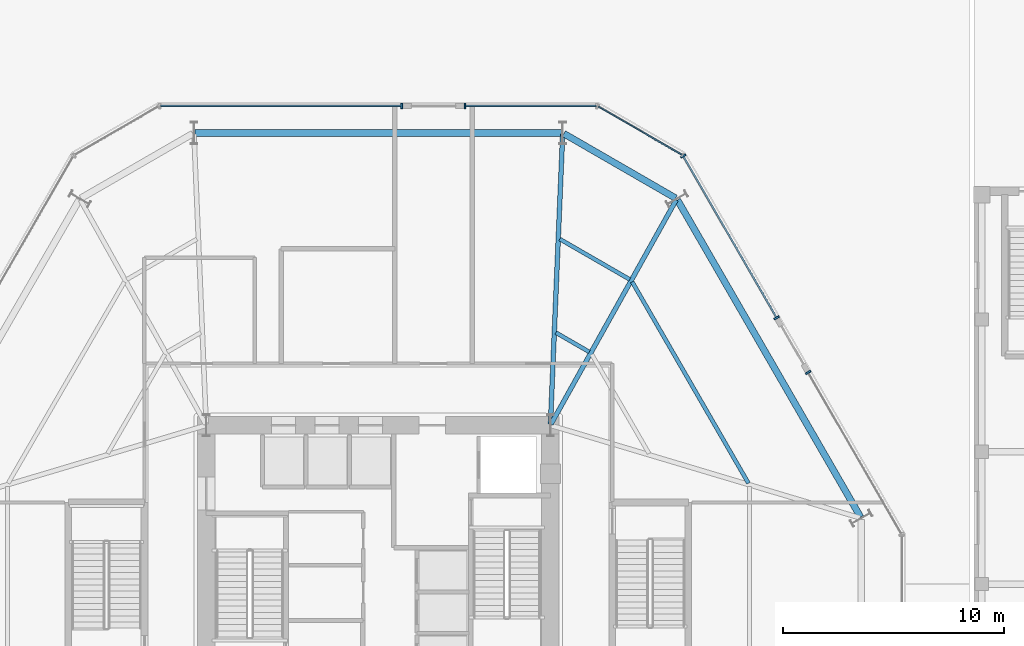
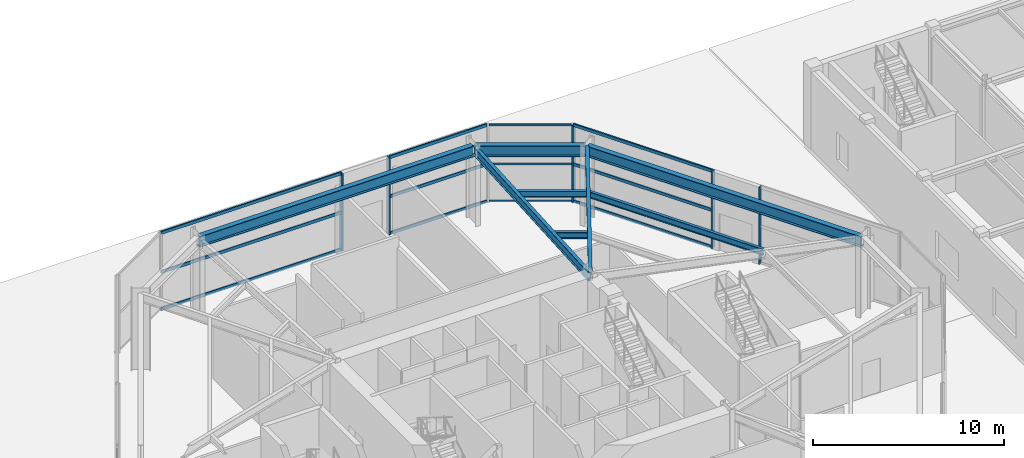
# One storey, part 13 of 26: 17 members, 8 beams, 5 elements without a shape of their own.
"""IFC4 building model written with IfcOpenShell, lengths in metres."""

import ifcopenshell
import ifcopenshell.guid

model = None  # the IFC model being written
_history = None  # IfcOwnerHistory: only IFC2X3 demands one
_inside = {}  # id of a spatial element -> (the spatial element, [elements in it])
_under = {}  # id of a project, library or spatial element -> (it, [spatial elements below it])
_declared = {}  # id of a project -> (the project, [libraries it declares])
_typed = {}  # id of a type object -> (the type object, [elements of that type])
_made_of = {}  # id of a material, layer set ... -> (it, [elements and type objects made of it])


def new_model(schema):
    """Start an empty IFC model of exactly this schema.

    Asked for "IFC4X3", IfcOpenShell would pick the latest addendum, in which some entities
    have other attributes; the version numbers below select the first issue.
    IFC2X3 requires an IfcOwnerHistory on every rooted entity: one is made here for all.
    """
    global model, _history
    if schema == "IFC4X3":
        model = ifcopenshell.file(schema_version=(4, 3, 0, 0))
    else:
        model = ifcopenshell.file(schema=schema)
    _inside.clear()
    _under.clear()
    _declared.clear()
    _typed.clear()
    _made_of.clear()
    _history = None
    if model.schema == "IFC2X3":
        org = make("IfcOrganization", Name="unknown")
        user = make(
            "IfcPersonAndOrganization",
            ThePerson=make("IfcPerson", FamilyName="unknown"),
            TheOrganization=org,
        )
        app = make(
            "IfcApplication",
            ApplicationDeveloper=org,
            Version="unknown",
            ApplicationFullName="unknown",
            ApplicationIdentifier="unknown",
        )
        _history = make(
            "IfcOwnerHistory",
            OwningUser=user,
            OwningApplication=app,
            ChangeAction="ADDED",
            CreationDate=0,
        )
    return model


def make(cls, **values):
    """One entity of the class cls with the attributes given. An attribute that is None is left unset."""
    return model.create_entity(
        cls, **{name: value for name, value in values.items() if value is not None}
    )


def rooted(cls, **values):
    """An entity with a GlobalId (a new one), such as an element, a storey or a relation."""
    return make(cls, GlobalId=ifcopenshell.guid.new(), OwnerHistory=_history, **values)


def si_unit(unit_type, name, prefix=None):
    """IfcSIUnit, for example si_unit("LENGTHUNIT", "METRE", prefix="MILLI")."""
    return make("IfcSIUnit", UnitType=unit_type, Prefix=prefix, Name=name)


def assignment(units):
    """IfcUnitAssignment: the units of a project."""
    return None if units is None else make("IfcUnitAssignment", Units=units)


def point(xyz):
    """IfcCartesianPoint."""
    return None if xyz is None else make("IfcCartesianPoint", Coordinates=xyz)


def direction(xyz):
    """IfcDirection."""
    return None if xyz is None else make("IfcDirection", DirectionRatios=xyz)


def frame(location, z_axis=None, x_axis=None):
    """IfcAxis2Placement3D, a coordinate frame: its origin and axes. An axis left out is left unset."""
    return make(
        "IfcAxis2Placement3D",
        Location=point(location),
        Axis=direction(z_axis),
        RefDirection=direction(x_axis),
    )


def frame_2d(location, x_axis=None):
    """IfcAxis2Placement2D, a coordinate frame in the plane: its origin and x axis."""
    return make(
        "IfcAxis2Placement2D", Location=point(location), RefDirection=direction(x_axis)
    )


def origin():
    """The frame at (0, 0, 0) with its axes left unset."""
    return frame((0.0, 0.0, 0.0))


def origin_2d():
    """The frame at (0, 0) in the plane with its x axis left unset."""
    return frame_2d((0.0, 0.0))


def place(relative_to, where):
    """IfcLocalPlacement: puts the frame where relative to a parent placement (None: the world)."""
    return make(
        "IfcLocalPlacement", PlacementRelTo=relative_to, RelativePlacement=where
    )


def context(
    kind, dimensions, precision=None, world=None, true_north=None, identifier=None
):
    """IfcGeometricRepresentationContext, for example the 3D "Model" context."""
    return make(
        "IfcGeometricRepresentationContext",
        ContextIdentifier=identifier,
        ContextType=kind,
        CoordinateSpaceDimension=dimensions,
        Precision=precision,
        WorldCoordinateSystem=world,
        TrueNorth=true_north,
    )


def subcontext(parent, identifier, kind, view, scale=None):
    """IfcGeometricRepresentationSubContext, for example "Body" below "Model"."""
    return make(
        "IfcGeometricRepresentationSubContext",
        ContextIdentifier=identifier,
        ContextType=kind,
        ParentContext=parent,
        TargetScale=scale,
        TargetView=view,
    )


def project(units=None, contexts=None):
    """IfcProject with its units and contexts."""
    return rooted(
        "IfcProject",
        Name="project",
        RepresentationContexts=contexts,
        UnitsInContext=assignment(units),
    )


def spatial(cls, under=None, at=None, **own):
    """A site, building, storey or space (cls), placed at a placement, below another one or the project."""
    s = rooted(cls, ObjectPlacement=at, **own)
    if under is not None:
        _under.setdefault(under.id(), (under, []))[1].append(s)
    return s


def profile(cls, at=None, kind="AREA", **sizes):
    """A parametric profile (cls). Its sizes go by their IFC names, for example OverallWidth=200.0."""
    return make(cls, ProfileType=kind, Position=at, **sizes)


def rectangle(**sizes):
    """IfcRectangleProfileDef."""
    return profile("IfcRectangleProfileDef", **sizes)


def i_section(**sizes):
    """IfcIShapeProfileDef."""
    return profile("IfcIShapeProfileDef", **sizes)


def extrude(swept, where, along, depth):
    """IfcExtrudedAreaSolid: the profile swept, set in the frame where, extruded along a direction by depth."""
    return make(
        "IfcExtrudedAreaSolid",
        SweptArea=swept,
        Position=where,
        ExtrudedDirection=direction(along),
        Depth=depth,
    )


def shape(context_of_items, identifier, shape_type, items):
    """IfcShapeRepresentation: the items that make up one representation, for example the "Body"."""
    return make(
        "IfcShapeRepresentation",
        ContextOfItems=context_of_items,
        RepresentationIdentifier=identifier,
        RepresentationType=shape_type,
        Items=items,
    )


def material(Name=None, Category=None):
    """IfcMaterial."""
    return make("IfcMaterial", Name=Name, Category=Category)


def layer(
    of_material, thickness, ventilated=None, Name=None, Category=None, Priority=None
):
    """IfcMaterialLayer: one layer of a wall or slab, of a material (None: an air gap)."""
    return make(
        "IfcMaterialLayer",
        Material=of_material,
        LayerThickness=thickness,
        IsVentilated=ventilated,
        Name=Name,
        Category=Category,
        Priority=Priority,
    )


def layer_set(layers, Name=None):
    """IfcMaterialLayerSet."""
    return make("IfcMaterialLayerSet", MaterialLayers=layers, LayerSetName=Name)


def material_profile(
    of_material, cross_section, Name=None, Category=None, Priority=None
):
    """IfcMaterialProfile: a cross section and its material."""
    return make(
        "IfcMaterialProfile",
        Name=Name,
        Material=of_material,
        Profile=cross_section,
        Priority=Priority,
        Category=Category,
    )


def profile_set(profiles, Name=None, composite=None):
    """IfcMaterialProfileSet."""
    return make(
        "IfcMaterialProfileSet",
        Name=Name,
        MaterialProfiles=profiles,
        CompositeProfile=composite,
    )


def made_of(thing, what):
    """Note that an element or type object is made of a material, layer set ...; save() writes the relation."""
    if what is not None:
        _made_of.setdefault(what.id(), (what, []))[1].append(thing)
    return thing


def type_object(cls, material=None, **own):
    """A type object (cls), such as IfcWallType, which elements share."""
    return made_of(rooted(cls, **own), material)


def element(
    cls,
    number,
    at=None,
    inside=None,
    cuts=None,
    type_object=None,
    material=None,
    context=None,
    identifier="Body",
    shape_type=None,
    held_by="IfcProductDefinitionShape",
    body=None,
    shapes=None,
    **own,
):
    """One element of the class cls, such as IfcWall. Its Tag is "e" and its number.

    at: its placement. inside: the storey or other place that contains it. cuts: it is an
    opening in that element (IfcRelVoidsElement). A single representation is given by context,
    identifier, shape_type and body (its items); several are given by shapes. held_by: the class
    of the entity that holds the representations. save() writes the other relations.
    """
    e = rooted(cls, Tag="e%d" % number, ObjectPlacement=at, **own)
    if body is not None:
        shapes = [shape(context, identifier, shape_type, body)]
    if shapes is not None:
        e.Representation = make(held_by, Representations=shapes)
    if inside is not None:
        _inside.setdefault(inside.id(), (inside, []))[1].append(e)
    if cuts is not None:
        rooted(
            "IfcRelVoidsElement", RelatingBuildingElement=cuts, RelatedOpeningElement=e
        )
    if type_object is not None:
        _typed.setdefault(type_object.id(), (type_object, []))[1].append(e)
    return made_of(e, material)


def aggregate(whole, parts):
    """IfcRelAggregates: a whole, such as a stair, and the parts it consists of."""
    return rooted("IfcRelAggregates", RelatingObject=whole, RelatedObjects=parts)


def save(model, path):
    """Write the relations noted so far, then the file.

    IfcRelAggregates (storeys below a building ...), IfcRelContainedInSpatialStructure (elements
    in a storey), IfcRelDefinesByType, IfcRelAssociatesMaterial and IfcRelDeclares: one each for
    every whole, place, type object, material and project.
    """
    for whole, parts in _under.values():
        aggregate(whole, parts)
    for where, things in _inside.values():
        rooted(
            "IfcRelContainedInSpatialStructure",
            RelatedElements=things,
            RelatingStructure=where,
        )
    for kind, things in _typed.values():
        rooted("IfcRelDefinesByType", RelatedObjects=things, RelatingType=kind)
    for what, things in _made_of.values():
        rooted("IfcRelAssociatesMaterial", RelatedObjects=things, RelatingMaterial=what)
    for by, libraries in _declared.values():
        rooted("IfcRelDeclares", RelatingContext=by, RelatedDefinitions=libraries)
    model.write(path)


model = new_model("IFC4")

# Units and contexts
model_context = context("Model", 3, precision=1e-05, world=origin(), true_north=direction((0.0, 1.0)))
body_context = subcontext(model_context, "Body", "Model", "MODEL_VIEW")
ifc_project = project(units=[si_unit("LENGTHUNIT", "METRE"), si_unit("AREAUNIT", "SQUARE_METRE"), si_unit("VOLUMEUNIT", "CUBIC_METRE"), si_unit("PLANEANGLEUNIT", "RADIAN"), si_unit("MASSUNIT", "GRAM", prefix="KILO")], contexts=[model_context])

# Site, building, storey
site_placement = place(None, origin())
site = spatial("IfcSite", under=ifc_project, at=site_placement, CompositionType="ELEMENT")
building_placement = place(site_placement, origin())
building = spatial("IfcBuilding", under=site, at=building_placement, Name="Kranzbogen Civic Tower", CompositionType="ELEMENT")
storey_placement = place(building_placement, origin())
storey = spatial("IfcBuildingStorey", under=building, at=storey_placement, Name="L00", CompositionType="ELEMENT", Elevation=0.0)

# Curtain wall, member
ifc_material_1 = material(Name="Pale Anodised Aluminium", Category="aluminium")
ifc_layer_1 = layer(ifc_material_1, 0.219970703125, Name="Pale Anodised Aluminium")
ifc_layer_set_1 = layer_set([ifc_layer_1], Name="Pale Anodised Aluminium")
curtain_wall_type_1 = type_object("IfcCurtainWallType", Name="Podium Stick Curtain Wall System CW-01", PredefinedType="USERDEFINED", material=ifc_layer_set_1)
curtain_wall_1_placement = place(storey_placement, origin())
curtain_wall_1 = element("IfcCurtainWall", 1, at=curtain_wall_1_placement, inside=storey, type_object=curtain_wall_type_1, Name="L00 curtain wall CW-L00-F1-S1", ObjectType="STICK CURTAIN WALL", PredefinedType="USERDEFINED")
ifc_material_profile_1 = material_profile(ifc_material_1, rectangle(XDim=0.0849609375, YDim=0.260009765625, at=origin_2d()), Name="ALU-M 85x260")
ifc_profile_set_1 = profile_set([ifc_material_profile_1], Name="Pale Anodised Aluminium")
member_type_1 = type_object("IfcMemberType", Name="Curtain Wall Mullion ALU-M 85x260", PredefinedType="MULLION", material=ifc_profile_set_1)
member_1_placement = place(storey_placement, frame((44.48388671875, 34.597900390625, 0.0), z_axis=(0.0, 0.0, 1.0), x_axis=(-0.500009985053, 0.866019638835, 0.0)))
member_1 = element("IfcMember", 2, at=member_1_placement, type_object=member_type_1, Name="CW-01 mullion 2", PredefinedType="MULLION", context=body_context, shape_type="SweptSolid", body=[
    extrude(rectangle(XDim=0.0849609375, YDim=0.260009765625, at=origin_2d()), origin(), (0.0, 0.0, 1.0), 4.93994140625),
])
aggregate(curtain_wall_1, [member_1])

# Curtain wall, members
curtain_wall_2_placement = place(storey_placement, origin())
curtain_wall_2 = element("IfcCurtainWall", 3, at=curtain_wall_2_placement, inside=storey, type_object=curtain_wall_type_1, Name="L00 curtain wall CW-L00-F1-S2", ObjectType="STICK CURTAIN WALL", PredefinedType="USERDEFINED")
member_2_placement = place(storey_placement, frame((43.053955078125, 37.074951171875, 0.0), z_axis=(0.0, 0.0, 1.0), x_axis=(-0.500009985053, 0.866019638835, 0.0)))
member_2 = element("IfcMember", 4, at=member_2_placement, type_object=member_type_1, Name="CW-01 mullion 1", PredefinedType="MULLION", context=body_context, shape_type="SweptSolid", body=[
    extrude(rectangle(XDim=0.0849609375, YDim=0.260009765625, at=origin_2d()), origin(), (0.0, 0.0, 1.0), 4.93994140625),
])
member_3_placement = place(storey_placement, frame((38.819091796875, 44.409912109375, 0.0), z_axis=(0.0, 0.0, 1.0), x_axis=(-0.500009985053, 0.866019638835, 0.0)))
member_3 = element("IfcMember", 5, at=member_3_placement, type_object=member_type_1, Name="CW-01 mullion 2", PredefinedType="MULLION", context=body_context, shape_type="SweptSolid", body=[
    extrude(rectangle(XDim=0.0849609375, YDim=0.260009765625, at=origin_2d()), origin(), (0.0, 0.0, 1.0), 4.93994140625),
])

# Curtain wall, member
curtain_wall_3_placement = place(storey_placement, origin())
curtain_wall_3 = element("IfcCurtainWall", 6, at=curtain_wall_3_placement, inside=storey, type_object=curtain_wall_type_1, Name="L00 curtain wall CW-L00-F2-S1", ObjectType="STICK CURTAIN WALL", PredefinedType="USERDEFINED")
member_4_placement = place(storey_placement, frame((28.929931640625, 46.673095703125, 0.0), z_axis=(0.0, 0.0, 1.0), x_axis=(-1.0, 0.0, 0.0)))
member_4 = element("IfcMember", 7, at=member_4_placement, type_object=member_type_1, Name="CW-01 mullion 2", PredefinedType="MULLION", context=body_context, shape_type="SweptSolid", body=[
    extrude(rectangle(XDim=0.0849609375, YDim=0.260009765625, at=origin_2d()), origin(), (0.0, 0.0, 1.0), 4.93994140625),
])

curtain_wall_4_placement = place(storey_placement, origin())
curtain_wall_4 = element("IfcCurtainWall", 8, at=curtain_wall_4_placement, inside=storey, type_object=curtain_wall_type_1, Name="L00 curtain wall CW-L00-F2-S2", ObjectType="STICK CURTAIN WALL", PredefinedType="USERDEFINED")
member_5_placement = place(storey_placement, frame((26.070068359375, 46.673095703125, 0.0), z_axis=(0.0, 0.0, 1.0), x_axis=(-1.0, 0.0, 0.0)))
member_5 = element("IfcMember", 9, at=member_5_placement, type_object=member_type_1, Name="CW-01 mullion 1", PredefinedType="MULLION", context=body_context, shape_type="SweptSolid", body=[
    extrude(rectangle(XDim=0.0849609375, YDim=0.260009765625, at=origin_2d()), origin(), (0.0, 0.0, 1.0), 4.93994140625),
])

# Curtain wall, members
ifc_layer_2 = layer(ifc_material_1, 0.219970703125, Name="Pale Anodised Aluminium")
ifc_layer_set_2 = layer_set([ifc_layer_2], Name="Pale Anodised Aluminium")
curtain_wall_type_2 = type_object("IfcCurtainWallType", Name="Chamfer Facet Stick Curtain Wall System CW-06", PredefinedType="USERDEFINED", material=ifc_layer_set_2)
curtain_wall_5_placement = place(storey_placement, origin())
curtain_wall_5 = element("IfcCurtainWall", 10, at=curtain_wall_5_placement, inside=storey, type_object=curtain_wall_type_2, Name="L00 curtain wall CW-L00-C1", ObjectType="STICK CURTAIN WALL", PredefinedType="USERDEFINED")
ifc_material_profile_2 = material_profile(ifc_material_1, rectangle(XDim=0.06005859375, YDim=0.1201171875, at=origin_2d()), Name="ALU-T 60x120")
ifc_profile_set_2 = profile_set([ifc_material_profile_2], Name="Pale Anodised Aluminium")
member_type_2 = type_object("IfcMemberType", Name="Curtain Wall Transom ALU-T 60x120", PredefinedType="USERDEFINED", material=ifc_profile_set_2)
member_6_placement = place(storey_placement, frame((38.751953125, 44.466064453125, 0.030029296875), z_axis=(-0.865987588642, 0.500065492029, 0.0), x_axis=(-0.500065492029, -0.865987588642, 0.0)))
member_6 = element("IfcMember", 11, at=member_6_placement, type_object=member_type_2, Name="CW-06 transom 1.1", ObjectType="TRANSOM", PredefinedType="USERDEFINED", context=body_context, shape_type="SweptSolid", body=[
    extrude(rectangle(XDim=0.06005859375, YDim=0.1201171875, at=origin_2d()), origin(), (0.0, 0.0, 1.0), 4.353515625),
])
member_7_placement = place(storey_placement, frame((38.751953125, 44.466064453125, 2.39990234375), z_axis=(-0.865987588642, 0.500065492029, 0.0), x_axis=(-0.500065492029, -0.865987588642, 0.0)))
member_7 = element("IfcMember", 12, at=member_7_placement, type_object=member_type_2, Name="CW-06 transom 1.2", ObjectType="TRANSOM", PredefinedType="USERDEFINED", context=body_context, shape_type="SweptSolid", body=[
    extrude(rectangle(XDim=0.06005859375, YDim=0.1201171875, at=origin_2d()), origin(), (0.0, 0.0, 1.0), 4.353515625),
])
member_8_placement = place(storey_placement, frame((38.751953125, 44.466064453125, 4.909912109375), z_axis=(-0.865987588642, 0.500065492029, 0.0), x_axis=(-0.500065492029, -0.865987588642, 0.0)))
member_8 = element("IfcMember", 13, at=member_8_placement, type_object=member_type_2, Name="CW-06 transom 1.3", ObjectType="TRANSOM", PredefinedType="USERDEFINED", context=body_context, shape_type="SweptSolid", body=[
    extrude(rectangle(XDim=0.06005859375, YDim=0.1201171875, at=origin_2d()), origin(), (0.0, 0.0, 1.0), 4.353515625),
])
aggregate(curtain_wall_5, [member_6, member_7, member_8])

# Member
ifc_material_profile_3 = material_profile(ifc_material_1, rectangle(XDim=0.0849609375, YDim=0.195068359375, at=origin_2d()), Name="ALU-T 85x195")
ifc_profile_set_3 = profile_set([ifc_material_profile_3], Name="Pale Anodised Aluminium")
member_type_3 = type_object("IfcMemberType", Name="Curtain Wall Transom ALU-T 85x195", PredefinedType="USERDEFINED", material=ifc_profile_set_3)
member_9_placement = place(storey_placement, frame((43.0390625, 37.10107421875, 0.030029296875), z_axis=(-0.500023168854, 0.866012026827, 0.0), x_axis=(-0.866012026827, -0.500023168854, 0.0)))
member_9 = element("IfcMember", 14, at=member_9_placement, type_object=member_type_3, Name="CW-01 transom 1.1", ObjectType="TRANSOM", PredefinedType="USERDEFINED", context=body_context, shape_type="SweptSolid", body=[
    extrude(rectangle(XDim=0.0849609375, YDim=0.195068359375, at=origin_2d()), origin(), (0.0, 0.0, 1.0), 8.40966796875),
])

member_10_placement = place(storey_placement, frame((43.0390625, 37.10107421875, 2.39990234375), z_axis=(-0.500023168854, 0.866012026827, 0.0), x_axis=(-0.866012026827, -0.500023168854, 0.0)))
member_10 = element("IfcMember", 15, at=member_10_placement, type_object=member_type_3, Name="CW-01 transom 1.2", ObjectType="TRANSOM", PredefinedType="USERDEFINED", context=body_context, shape_type="SweptSolid", body=[
    extrude(rectangle(XDim=0.0849609375, YDim=0.195068359375, at=origin_2d()), origin(), (0.0, 0.0, 1.0), 8.40966796875),
])

member_11_placement = place(storey_placement, frame((43.0390625, 37.10107421875, 4.909912109375), z_axis=(-0.500023168854, 0.866012026827, 0.0), x_axis=(-0.866012026827, -0.500023168854, 0.0)))
member_11 = element("IfcMember", 16, at=member_11_placement, type_object=member_type_3, Name="CW-01 transom 1.3", ObjectType="TRANSOM", PredefinedType="USERDEFINED", context=body_context, shape_type="SweptSolid", body=[
    extrude(rectangle(XDim=0.0849609375, YDim=0.195068359375, at=origin_2d()), origin(), (0.0, 0.0, 1.0), 8.40966796875),
])

aggregate(curtain_wall_2, [member_2, member_3, member_9, member_10, member_11])

member_12_placement = place(storey_placement, frame((34.8701171875, 46.673095703125, 0.030029296875), z_axis=(-1.0, 0.0, 0.0), x_axis=(0.0, -1.0, 0.0)))
member_12 = element("IfcMember", 17, at=member_12_placement, type_object=member_type_3, Name="CW-01 transom 1.1", ObjectType="TRANSOM", PredefinedType="USERDEFINED", context=body_context, shape_type="SweptSolid", body=[
    extrude(rectangle(XDim=0.0849609375, YDim=0.195068359375, at=origin_2d()), origin(), (0.0, 0.0, 1.0), 5.91015625),
])

member_13_placement = place(storey_placement, frame((34.8701171875, 46.673095703125, 2.39990234375), z_axis=(-1.0, 0.0, 0.0), x_axis=(0.0, -1.0, 0.0)))
member_13 = element("IfcMember", 18, at=member_13_placement, type_object=member_type_3, Name="CW-01 transom 1.2", ObjectType="TRANSOM", PredefinedType="USERDEFINED", context=body_context, shape_type="SweptSolid", body=[
    extrude(rectangle(XDim=0.0849609375, YDim=0.195068359375, at=origin_2d()), origin(), (0.0, 0.0, 1.0), 5.91015625),
])

member_14_placement = place(storey_placement, frame((34.8701171875, 46.673095703125, 4.909912109375), z_axis=(-1.0, 0.0, 0.0), x_axis=(0.0, -1.0, 0.0)))
member_14 = element("IfcMember", 19, at=member_14_placement, type_object=member_type_3, Name="CW-01 transom 1.3", ObjectType="TRANSOM", PredefinedType="USERDEFINED", context=body_context, shape_type="SweptSolid", body=[
    extrude(rectangle(XDim=0.0849609375, YDim=0.195068359375, at=origin_2d()), origin(), (0.0, 0.0, 1.0), 5.91015625),
])

aggregate(curtain_wall_3, [member_4, member_12, member_13, member_14])

member_15_placement = place(storey_placement, frame((26.0400390625, 46.673095703125, 0.030029296875), z_axis=(-1.0, 0.0, 0.0), x_axis=(0.0, -1.0, 0.0)))
member_15 = element("IfcMember", 20, at=member_15_placement, type_object=member_type_3, Name="CW-01 transom 1.1", ObjectType="TRANSOM", PredefinedType="USERDEFINED", context=body_context, shape_type="SweptSolid", body=[
    extrude(rectangle(XDim=0.0849609375, YDim=0.195068359375, at=origin_2d()), origin(), (0.0, 0.0, 1.0), 10.91015625),
])

member_16_placement = place(storey_placement, frame((26.0400390625, 46.673095703125, 2.39990234375), z_axis=(-1.0, 0.0, 0.0), x_axis=(0.0, -1.0, 0.0)))
member_16 = element("IfcMember", 21, at=member_16_placement, type_object=member_type_3, Name="CW-01 transom 1.2", ObjectType="TRANSOM", PredefinedType="USERDEFINED", context=body_context, shape_type="SweptSolid", body=[
    extrude(rectangle(XDim=0.0849609375, YDim=0.195068359375, at=origin_2d()), origin(), (0.0, 0.0, 1.0), 10.91015625),
])

member_17_placement = place(storey_placement, frame((26.0400390625, 46.673095703125, 4.909912109375), z_axis=(-1.0, 0.0, 0.0), x_axis=(0.0, -1.0, 0.0)))
member_17 = element("IfcMember", 22, at=member_17_placement, type_object=member_type_3, Name="CW-01 transom 1.3", ObjectType="TRANSOM", PredefinedType="USERDEFINED", context=body_context, shape_type="SweptSolid", body=[
    extrude(rectangle(XDim=0.0849609375, YDim=0.195068359375, at=origin_2d()), origin(), (0.0, 0.0, 1.0), 10.91015625),
])

aggregate(curtain_wall_4, [member_5, member_15, member_16, member_17])

# Beams
ifc_material_2 = material(Name="Steel S355", Category="steel")
ifc_material_profile_4 = material_profile(ifc_material_2, i_section(OverallWidth=0.300048828125, OverallDepth=0.699951171875, WebThickness=0.01708984375, FlangeThickness=0.031982421875, at=origin_2d()), Name="HEB 700")
ifc_profile_set_4 = profile_set([ifc_material_profile_4], Name="Steel S355")
beam_type_1 = type_object("IfcBeamType", Name="Perimeter Tube Spandrel Beam HEB 700", PredefinedType="SPANDREL", material=ifc_profile_set_4)
beam_1_placement = place(storey_placement, frame((46.860107421875, 28.0380859375, 4.590087890625), z_axis=(-0.500010210561, 0.866019508634, 0.0), x_axis=(-0.866019508634, -0.500010210561, 0.0)))
element("IfcBeam", 23, at=beam_1_placement, inside=storey, type_object=beam_type_1, Name="L00 perimeter spandrel beam 07", PredefinedType="SPANDREL", context=body_context, shape_type="SweptSolid", body=[
    extrude(i_section(OverallWidth=0.300048828125, OverallDepth=0.699951171875, WebThickness=0.01708984375, FlangeThickness=0.031982421875, at=origin_2d()), origin(), (0.0, 0.0, 1.0), 16.597900390625),
])
beam_2_placement = place(storey_placement, frame((38.47900390625, 42.493896484375, 4.590087890625), z_axis=(-0.86602927387, 0.499993296755, 0.0), x_axis=(-0.499993296755, -0.86602927387, 0.0)))
element("IfcBeam", 24, at=beam_2_placement, inside=storey, type_object=beam_type_1, Name="L00 perimeter spandrel beam 08", PredefinedType="SPANDREL", context=body_context, shape_type="SweptSolid", body=[
    extrude(i_section(OverallWidth=0.300048828125, OverallDepth=0.699951171875, WebThickness=0.01708984375, FlangeThickness=0.031982421875, at=origin_2d()), origin(), (0.0, 0.0, 1.0), 5.85205078125),
])
beam_3_placement = place(storey_placement, frame((33.299072265625, 45.449951171875, 4.590087890625), z_axis=(-1.0, 0.0, 0.0), x_axis=(0.0, -1.0, 0.0)))
element("IfcBeam", 25, at=beam_3_placement, inside=storey, type_object=beam_type_1, Name="L00 perimeter spandrel beam 09", PredefinedType="SPANDREL", context=body_context, shape_type="SweptSolid", body=[
    extrude(i_section(OverallWidth=0.300048828125, OverallDepth=0.699951171875, WebThickness=0.01708984375, FlangeThickness=0.031982421875, at=origin_2d()), origin(), (0.0, 0.0, 1.0), 16.59814453125),
])
ifc_material_profile_5 = material_profile(ifc_material_2, i_section(OverallWidth=0.2099609375, OverallDepth=0.550048828125, WebThickness=0.010986328125, FlangeThickness=0.01708984375, at=origin_2d()), Name="IPE 550")
ifc_profile_set_5 = profile_set([ifc_material_profile_5], Name="Steel S355")
beam_type_2 = type_object("IfcBeamType", Name="Radial Tower Floor Girder IPE 550", PredefinedType="BEAM", material=ifc_profile_set_5)
beam_4_placement = place(storey_placement, frame((38.501953125, 42.412109375, 4.6650390625), z_axis=(-0.487501570266, -0.87312211001, 0.0), x_axis=(0.87312211001, -0.487501570266, 0.0)))
element("IfcBeam", 26, at=beam_4_placement, inside=storey, type_object=beam_type_2, Name="L00 radial floor girder 08", PredefinedType="BEAM", context=body_context, shape_type="SweptSolid", body=[
    extrude(i_section(OverallWidth=0.2099609375, OverallDepth=0.550048828125, WebThickness=0.010986328125, FlangeThickness=0.01708984375, at=origin_2d()), origin(), (0.0, 0.0, 1.0), 11.636474609375),
])
beam_5_placement = place(storey_placement, frame((33.35595703125, 45.389892578125, 4.6650390625), z_axis=(-0.04207872602, -0.999114298174, 0.0), x_axis=(0.999114298174, -0.04207872602, 0.0)))
element("IfcBeam", 27, at=beam_5_placement, inside=storey, type_object=beam_type_2, Name="L00 radial floor girder 09", PredefinedType="BEAM", context=body_context, shape_type="SweptSolid", body=[
    extrude(i_section(OverallWidth=0.2099609375, OverallDepth=0.550048828125, WebThickness=0.010986328125, FlangeThickness=0.01708984375, at=origin_2d()), origin(), (0.0, 0.0, 1.0), 13.1416015625),
])
ifc_material_profile_6 = material_profile(ifc_material_2, i_section(OverallWidth=0.179931640625, OverallDepth=0.39990234375, WebThickness=0.008544921875, FlangeThickness=0.013427734375, at=origin_2d()), Name="IPE 400")
ifc_profile_set_6 = profile_set([ifc_material_profile_6], Name="Steel S355")
beam_type_3 = type_object("IfcBeamType", Name="Secondary Composite Floor Joist IPE 400", PredefinedType="JOIST", material=ifc_profile_set_6)
beam_6_placement = place(storey_placement, frame((41.778076171875, 29.572021484375, 4.739990234375), z_axis=(-0.500000488781, 0.866025121586, 0.0), x_axis=(-0.866025121586, -0.500000488781, 0.0)))
element("IfcBeam", 28, at=beam_6_placement, inside=storey, type_object=beam_type_3, Name="L00 secondary floor joist 1.07", PredefinedType="JOIST", context=body_context, shape_type="SweptSolid", body=[
    extrude(i_section(OverallWidth=0.179931640625, OverallDepth=0.39990234375, WebThickness=0.008544921875, FlangeThickness=0.013427734375, at=origin_2d()), origin(), (0.0, 0.0, 1.0), 10.5400390625),
])
beam_7_placement = place(storey_placement, frame((36.39892578125, 38.80908203125, 4.739990234375), z_axis=(-0.866081244924, 0.499903267833, 0.0), x_axis=(-0.499903267833, -0.866081244924, 0.0)))
element("IfcBeam", 29, at=beam_7_placement, inside=storey, type_object=beam_type_3, Name="L00 secondary floor joist 1.08", PredefinedType="JOIST", context=body_context, shape_type="SweptSolid", body=[
    extrude(i_section(OverallWidth=0.179931640625, OverallDepth=0.39990234375, WebThickness=0.008544921875, FlangeThickness=0.013427734375, at=origin_2d()), origin(), (0.0, 0.0, 1.0), 3.662353515625),
])
beam_8_placement = place(storey_placement, frame((34.56494140625, 35.52392578125, 4.739990234375), z_axis=(-0.86596970562, 0.500096459644, 0.0), x_axis=(-0.500096459644, -0.86596970562, 0.0)))
element("IfcBeam", 30, at=beam_8_placement, inside=storey, type_object=beam_type_3, Name="L00 secondary floor joist 2.08", PredefinedType="JOIST", context=body_context, shape_type="SweptSolid", body=[
    extrude(i_section(OverallWidth=0.179931640625, OverallDepth=0.39990234375, WebThickness=0.008544921875, FlangeThickness=0.013427734375, at=origin_2d()), origin(), (0.0, 0.0, 1.0), 1.751708984375),
])

save(model, "model.ifc")
